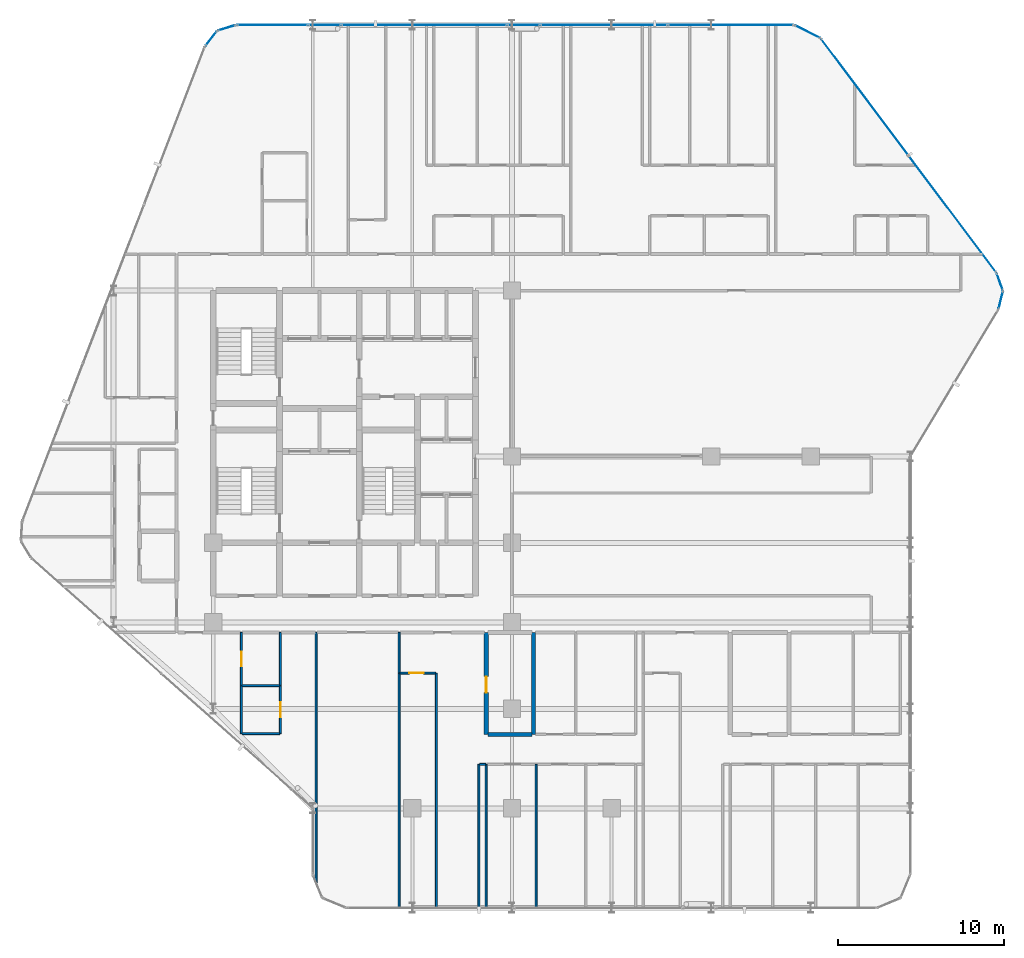
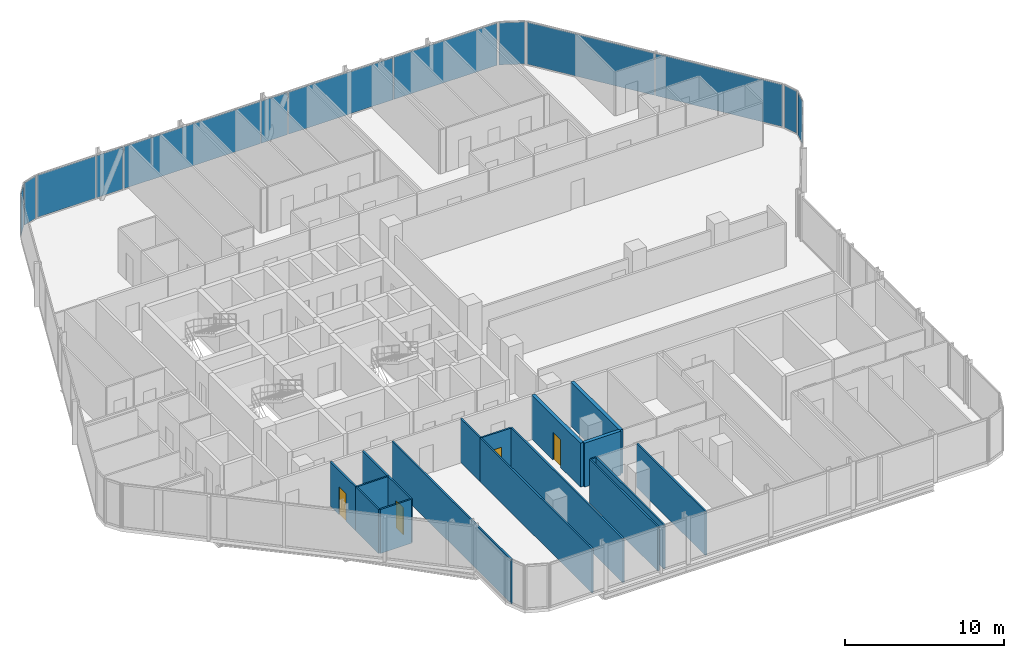
# One storey, part 23 of 30: 18 walls, 13 plates, 4 doors, 4 openings, 11 elements without a shape of their own.
"""IFC4 building model written with IfcOpenShell, lengths in metres."""

from ifc_helpers import new_model, si_unit, direction, frame, frame_2d, origin, origin_2d, place, context, subcontext, project, spatial, rectangle, extrude, material, layer, layer_set, type_object, element, fill, aggregate, save


model = new_model("IFC4")

# Units and contexts
model_context = context("Model", 3, precision=1e-05, world=origin(), true_north=direction((0.0, 1.0)))
body_context = subcontext(model_context, "Body", "Model", "MODEL_VIEW")
ifc_project = project(units=[si_unit("LENGTHUNIT", "METRE"), si_unit("AREAUNIT", "SQUARE_METRE"), si_unit("VOLUMEUNIT", "CUBIC_METRE"), si_unit("PLANEANGLEUNIT", "RADIAN"), si_unit("MASSUNIT", "GRAM", prefix="KILO")], contexts=[model_context])

# Site, building, storey
site_placement = place(None, origin())
site = spatial("IfcSite", under=ifc_project, at=site_placement, CompositionType="ELEMENT")
building_placement = place(site_placement, origin())
building = spatial("IfcBuilding", under=site, at=building_placement, Name="Keshet Zoharim Tower", CompositionType="ELEMENT")
storey_placement = place(building_placement, frame((0.0, 0.0, 109.39990234375)))
storey = spatial("IfcBuildingStorey", under=building, at=storey_placement, Name="L26", CompositionType="ELEMENT", Elevation=109.39990234375)

# Curtain wall, plate
ifc_material_1 = material(Name="Aluminium 6063-T6", Category="aluminium")
ifc_layer_1 = layer(ifc_material_1, 0.159912109375)
ifc_layer_set_1 = layer_set([ifc_layer_1], Name="Aluminium 6063-T6")
curtain_wall_type = type_object("IfcCurtainWallType", Name="CW-SYS-03", PredefinedType="NOTDEFINED", material=ifc_layer_set_1)
curtain_wall_1_placement = place(storey_placement, origin())
curtain_wall_1 = element("IfcCurtainWall", 1, at=curtain_wall_1_placement, inside=storey, type_object=curtain_wall_type, Name="L26 Unitised Curtain Wall 11", PredefinedType="NOTDEFINED")
ifc_material_2 = material(Name="Insulated Low-E Clear Glass", Category="glass")
ifc_layer_2 = layer(ifc_material_2, 0.035888671875)
ifc_layer_set_2 = layer_set([ifc_layer_2], Name="Insulated Low-E Clear Glass")
plate_type_1 = type_object("IfcPlateType", Name="CWP-01", PredefinedType="CURTAIN_PANEL", material=ifc_layer_set_2)
plate_1_placement = place(storey_placement, frame((14.8740234375, 53.08349609375, 0.070068359375), z_axis=(0.0, 0.0, 1.0), x_axis=(0.619124525989, 0.785292825205, 0.0)))
plate_1 = element("IfcPlate", 2, at=plate_1_placement, type_object=plate_type_1, Name="CW-03 panel 1.1", PredefinedType="CURTAIN_PANEL", context=body_context, shape_type="SweptSolid", body=[
    extrude(rectangle(XDim=1.045654296875, YDim=0.035888671875, at=origin_2d()), origin(), (0.0, 0.0, 1.0), 3.2451171875),
])
aggregate(curtain_wall_1, [plate_1])

curtain_wall_2_placement = place(storey_placement, origin())
curtain_wall_2 = element("IfcCurtainWall", 3, at=curtain_wall_2_placement, inside=storey, type_object=curtain_wall_type, Name="L26 Unitised Curtain Wall 12", PredefinedType="NOTDEFINED")
plate_2_placement = place(storey_placement, frame((15.8076171875, 53.724609375, 0.070068359375), z_axis=(0.0, 0.0, 1.0), x_axis=(0.955212151288, 0.295921857984, 0.0)))
plate_2 = element("IfcPlate", 4, at=plate_2_placement, type_object=plate_type_1, Name="CW-03 panel 1.1", PredefinedType="CURTAIN_PANEL", context=body_context, shape_type="SweptSolid", body=[
    extrude(rectangle(XDim=1.046142578125, YDim=0.035888671875, at=origin_2d()), origin(), (0.0, 0.0, 1.0), 3.2451171875),
])
aggregate(curtain_wall_2, [plate_2])

curtain_wall_3_placement = place(storey_placement, origin())
curtain_wall_3 = element("IfcCurtainWall", 5, at=curtain_wall_3_placement, inside=storey, type_object=curtain_wall_type, Name="L26 Unitised Curtain Wall 13", PredefinedType="NOTDEFINED")
ifc_layer_3 = layer(ifc_material_2, 0.031982421875)
ifc_layer_set_3 = layer_set([ifc_layer_3], Name="Insulated Low-E Clear Glass")
plate_type_2 = type_object("IfcPlateType", Name="CWP-02", PredefinedType="CURTAIN_PANEL", material=ifc_layer_set_3)
plate_3_placement = place(storey_placement, frame((18.56298828125, 53.89990234375, 0.070068359375), z_axis=(0.0, 0.0, 1.0), x_axis=(1.0, 0.0, 0.0)))
plate_3 = element("IfcPlate", 6, at=plate_3_placement, type_object=plate_type_2, Name="CW-03 panel 1.1", PredefinedType="CURTAIN_PANEL", context=body_context, shape_type="SweptSolid", body=[
    extrude(rectangle(XDim=4.23779296875, YDim=0.031982421875, at=origin_2d()), origin(), (0.0, 0.0, 1.0), 3.2451171875),
])
aggregate(curtain_wall_3, [plate_3])

curtain_wall_4_placement = place(storey_placement, origin())
curtain_wall_4 = element("IfcCurtainWall", 7, at=curtain_wall_4_placement, inside=storey, type_object=curtain_wall_type, Name="L26 Unitised Curtain Wall 13 Part 3", PredefinedType="NOTDEFINED")
plate_4_placement = place(storey_placement, frame((27.715087890625, 53.89990234375, 0.070068359375), z_axis=(0.0, 0.0, 1.0), x_axis=(1.0, 0.0, 0.0)))
plate_4 = element("IfcPlate", 8, at=plate_4_placement, type_object=plate_type_2, Name="CW-03 panel 1.1", PredefinedType="CURTAIN_PANEL", context=body_context, shape_type="SweptSolid", body=[
    extrude(rectangle(XDim=9.933837890625, YDim=0.031982421875, at=origin_2d()), origin(), (0.0, 0.0, 1.0), 3.2451171875),
])
aggregate(curtain_wall_4, [plate_4])

# Curtain wall, plates
curtain_wall_5_placement = place(storey_placement, origin())
curtain_wall_5 = element("IfcCurtainWall", 9, at=curtain_wall_5_placement, inside=storey, type_object=curtain_wall_type, Name="L26 Unitised Curtain Wall 13 Part 5", PredefinedType="NOTDEFINED")
plate_5_placement = place(storey_placement, frame((38.54345703125, 53.89990234375, 0.070068359375), z_axis=(0.0, 0.0, 1.0), x_axis=(1.0, 0.0, 0.0)))
plate_5 = element("IfcPlate", 10, at=plate_5_placement, type_object=plate_type_2, Name="CW-03 panel 1.1", PredefinedType="CURTAIN_PANEL", context=body_context, shape_type="SweptSolid", body=[
    extrude(rectangle(XDim=7.591064453125, YDim=0.031982421875, at=origin_2d()), origin(), (0.0, 0.0, 1.0), 3.2451171875),
])
plate_6_placement = place(storey_placement, frame((46.16943359375, 53.89990234375, 0.070068359375), z_axis=(0.0, 0.0, 1.0), x_axis=(1.0, 0.0, 0.0)))
plate_6 = element("IfcPlate", 11, at=plate_6_placement, type_object=plate_type_2, Name="CW-03 panel 2.1", PredefinedType="CURTAIN_PANEL", context=body_context, shape_type="SweptSolid", body=[
    extrude(rectangle(XDim=7.52099609375, YDim=0.031982421875, at=origin_2d()), origin(), (0.0, 0.0, 1.0), 3.2451171875),
])
aggregate(curtain_wall_5, [plate_5, plate_6])

# Curtain wall, plate
curtain_wall_6_placement = place(storey_placement, origin())
curtain_wall_6 = element("IfcCurtainWall", 12, at=curtain_wall_6_placement, inside=storey, type_object=curtain_wall_type, Name="L26 Unitised Curtain Wall 14", PredefinedType="NOTDEFINED")
plate_7_placement = place(storey_placement, frame((50.800048828125, 53.5, 0.070068359375), z_axis=(0.0, 0.0, 1.0), x_axis=(0.894427191001, -0.447213595499, 0.0)))
plate_7 = element("IfcPlate", 13, at=plate_7_placement, type_object=plate_type_2, Name="CW-03 panel 1.1", PredefinedType="CURTAIN_PANEL", context=body_context, shape_type="SweptSolid", body=[
    extrude(rectangle(XDim=1.64892578125, YDim=0.031982421875, at=origin_2d()), origin(), (0.0, 0.0, 1.0), 3.2451171875),
])
aggregate(curtain_wall_6, [plate_7])

# Curtain wall, plates
curtain_wall_7_placement = place(storey_placement, origin())
curtain_wall_7 = element("IfcCurtainWall", 14, at=curtain_wall_7_placement, inside=storey, type_object=curtain_wall_type, Name="L26 Unitised Curtain Wall 15", PredefinedType="NOTDEFINED")
plate_8_placement = place(storey_placement, frame((54.2587890625, 49.554931640625, 0.070068359375), z_axis=(0.0, 0.0, 1.0), x_axis=(0.600000000002, -0.799999999998, 0.0)))
plate_8 = element("IfcPlate", 15, at=plate_8_placement, type_object=plate_type_2, Name="CW-03 panel 1.1", PredefinedType="CURTAIN_PANEL", context=body_context, shape_type="SweptSolid", body=[
    extrude(rectangle(XDim=8.722412109375, YDim=0.031982421875, at=origin_2d()), origin(), (0.0, 0.0, 1.0), 3.2451171875),
])
plate_9_placement = place(storey_placement, frame((59.5341796875, 42.52099609375, 0.070068359375), z_axis=(0.0, 0.0, 1.0), x_axis=(0.600000000002, -0.799999999998, 0.0)))
plate_9 = element("IfcPlate", 16, at=plate_9_placement, type_object=plate_type_2, Name="CW-03 panel 2.1", PredefinedType="CURTAIN_PANEL", context=body_context, shape_type="SweptSolid", body=[
    extrude(rectangle(XDim=8.722412109375, YDim=0.031982421875, at=origin_2d()), origin(), (0.0, 0.0, 1.0), 3.2451171875),
])
aggregate(curtain_wall_7, [plate_8, plate_9])

# Curtain wall, plate
curtain_wall_8_placement = place(storey_placement, origin())
curtain_wall_8 = element("IfcCurtainWall", 17, at=curtain_wall_8_placement, inside=storey, type_object=curtain_wall_type, Name="L26 Unitised Curtain Wall 16", PredefinedType="NOTDEFINED")
plate_10_placement = place(storey_placement, frame((62.3916015625, 38.427490234375, 0.070068359375), z_axis=(0.0, 0.0, 1.0), x_axis=(0.340297354046, -0.940317877544, 0.0)))
plate_10 = element("IfcPlate", 18, at=plate_10_placement, type_object=plate_type_2, Name="CW-03 panel 1.1", PredefinedType="CURTAIN_PANEL", context=body_context, shape_type="SweptSolid", body=[
    extrude(rectangle(XDim=1.026611328125, YDim=0.031982421875, at=origin_2d()), origin(), (0.0, 0.0, 1.0), 3.2451171875),
])
aggregate(curtain_wall_8, [plate_10])

curtain_wall_9_placement = place(storey_placement, origin())
curtain_wall_9 = element("IfcCurtainWall", 19, at=curtain_wall_9_placement, inside=storey, type_object=curtain_wall_type, Name="L26 Unitised Curtain Wall 17", PredefinedType="NOTDEFINED")
plate_11_placement = place(storey_placement, frame((62.448974609375, 37.31298828125, 0.070068359375), z_axis=(0.0, 0.0, 1.0), x_axis=(-0.241728770141, -0.970343857447, 0.0)))
plate_11 = element("IfcPlate", 20, at=plate_11_placement, type_object=plate_type_2, Name="CW-03 panel 1.1", PredefinedType="CURTAIN_PANEL", context=body_context, shape_type="SweptSolid", body=[
    extrude(rectangle(XDim=1.026611328125, YDim=0.031982421875, at=origin_2d()), origin(), (0.0, 0.0, 1.0), 3.2451171875),
])
aggregate(curtain_wall_9, [plate_11])

curtain_wall_10_placement = place(storey_placement, origin())
curtain_wall_10 = element("IfcCurtainWall", 21, at=curtain_wall_10_placement, inside=storey, type_object=curtain_wall_type, Name="L26 Unitised Curtain Wall 13 Part 2", PredefinedType="NOTDEFINED")
ifc_material_3 = material(Name="Insulated Aluminium Spandrel Panel", Category="aluminium")
ifc_layer_4 = layer(ifc_material_3, 0.031982421875)
ifc_layer_set_4 = layer_set([ifc_layer_4], Name="Insulated Aluminium Spandrel Panel")
plate_type_3 = type_object("IfcPlateType", Name="CWP-05", PredefinedType="CURTAIN_PANEL", material=ifc_layer_set_4)
plate_12_placement = place(storey_placement, frame((21.715087890625, 53.89990234375, 0.070068359375), z_axis=(0.0, 0.0, 1.0), x_axis=(1.0, 0.0, 0.0)))
plate_12 = element("IfcPlate", 22, at=plate_12_placement, type_object=plate_type_3, Name="CW-03 spandrel panel 1.1", PredefinedType="CURTAIN_PANEL", context=body_context, shape_type="SweptSolid", body=[
    extrude(rectangle(XDim=1.92626953125, YDim=0.031982421875, at=origin_2d()), origin(), (0.0, 0.0, 1.0), 3.2451171875),
])
aggregate(curtain_wall_10, [plate_12])

curtain_wall_11_placement = place(storey_placement, origin())
curtain_wall_11 = element("IfcCurtainWall", 23, at=curtain_wall_11_placement, inside=storey, type_object=curtain_wall_type, Name="L26 Unitised Curtain Wall 13 Part 4", PredefinedType="NOTDEFINED")
plate_13_placement = place(storey_placement, frame((33.715087890625, 53.89990234375, 0.070068359375), z_axis=(0.0, 0.0, 1.0), x_axis=(1.0, 0.0, 0.0)))
plate_13 = element("IfcPlate", 24, at=plate_13_placement, type_object=plate_type_3, Name="CW-03 spandrel panel 1.1", PredefinedType="CURTAIN_PANEL", context=body_context, shape_type="SweptSolid", body=[
    extrude(rectangle(XDim=1.92626953125, YDim=0.031982421875, at=origin_2d()), origin(), (0.0, 0.0, 1.0), 3.2451171875),
])
aggregate(curtain_wall_11, [plate_13])

# Wall, opening, door
ifc_material_4 = material(Name="Concrete C50/60", Category="concrete")
ifc_layer_5 = layer(ifc_material_4, 0.25)
ifc_layer_set_5 = layer_set([ifc_layer_5], Name="Concrete C50/60")
wall_type_1 = type_object("IfcWallType", Name="WL-MAMAD-250", PredefinedType="STANDARD", material=ifc_layer_set_5)
wall_1_placement = place(storey_placement, frame((31.449951171875, 11.14990234375, 0.0), z_axis=(0.0, 0.0, 1.0), x_axis=(0.0, 1.0, 0.0)))
wall_1 = element("IfcWall", 25, at=wall_1_placement, inside=storey, type_object=wall_type_1, Name="L26 Interior Wall 069", PredefinedType="STANDARD", context=body_context, shape_type="SweptSolid", body=[
    extrude(rectangle(XDim=6.150146484375, YDim=0.25, at=frame_2d((3.0751953125, 0.0))), origin(), (0.0, 0.0, 1.0), 3.385009765625),
])
opening_1_placement = place(wall_1_placement, frame((2.529052734375, 0.0, 0.0)))
opening_1 = element("IfcOpeningElement", 26, at=opening_1_placement, cuts=wall_1, Name="Opening D-F695", PredefinedType="OPENING", context=body_context, shape_type="SweptSolid", body=[
    extrude(rectangle(XDim=0.949951171875, YDim=2.14990234375, at=frame_2d((0.47509765625, 1.074951171875))), frame((0.0, 0.135009765625, 0.0), z_axis=(0.0, -1.0, 0.0), x_axis=(1.0, 0.0, 0.0)), (0.0, 0.0, 1.0), 0.27001953125),
])
ifc_material_5 = material(Name="Hardwood Timber", Category="wood")
door_type_1 = type_object("IfcDoorType", Name="DR-FD60-095", OperationType="NOTDEFINED", PredefinedType="DOOR", material=ifc_material_5)
door_1_placement = place(opening_1_placement, origin())
door_1 = element("IfcDoor", 27, at=door_1_placement, inside=storey, type_object=door_type_1, Name="Apartment 2602 Study and Shelter Room Door", OperationType="SINGLE_SWING_LEFT", OverallHeight=2.14990234375, OverallWidth=0.949951171875, PredefinedType="DOOR", context=body_context, shape_type="SweptSolid", body=[
    extrude(rectangle(XDim=0.949951171875, YDim=2.14990234375, at=frame_2d((0.47509765625, 1.074951171875))), frame((0.0, 0.02490234375, 0.0), z_axis=(0.0, -1.0, 0.0), x_axis=(1.0, 0.0, 0.0)), (0.0, 0.0, 1.0), 0.050048828125),
])
fill(opening_1, door_1)

# Walls
wall_2_placement = place(storey_placement, frame((34.300048828125, 11.14990234375, 0.0), z_axis=(0.0, 0.0, 1.0), x_axis=(0.0, 1.0, 0.0)))
element("IfcWall", 28, at=wall_2_placement, inside=storey, type_object=wall_type_1, Name="L26 Interior Wall 074", PredefinedType="STANDARD", context=body_context, shape_type="SweptSolid", body=[
    extrude(rectangle(XDim=6.150146484375, YDim=0.25, at=frame_2d((3.0751953125, 0.0))), origin(), (0.0, 0.0, 1.0), 3.385009765625),
])
wall_3_placement = place(storey_placement, frame((31.56005859375, 11.14990234375, 0.0), z_axis=(0.0, 0.0, 1.0), x_axis=(1.0, 0.0, 0.0)))
element("IfcWall", 29, at=wall_3_placement, inside=storey, type_object=wall_type_1, Name="L26 Interior Wall 117", PredefinedType="STANDARD", context=body_context, shape_type="SweptSolid", body=[
    extrude(rectangle(XDim=2.64501953125, YDim=0.25, at=frame_2d((1.322509765625, 0.0))), origin(), (0.0, 0.0, 1.0), 3.385009765625),
])

# Wall, opening, door
ifc_material_6 = material(Name="Gypsum Plasterboard", Category="gypsum")
ifc_layer_6 = layer(ifc_material_6, 0.1201171875)
ifc_layer_set_6 = layer_set([ifc_layer_6], Name="Gypsum Plasterboard")
wall_type_2 = type_object("IfcWallType", Name="WL-PART-120", PredefinedType="PARTITIONING", material=ifc_layer_set_6)
wall_4_placement = place(storey_placement, frame((16.699951171875, 14.10009765625, 0.0), z_axis=(0.0, 0.0, 1.0), x_axis=(0.0, 1.0, 0.0)))
wall_4 = element("IfcWall", 30, at=wall_4_placement, inside=storey, type_object=wall_type_2, Name="L26 Interior Wall 018", PredefinedType="PARTITIONING", context=body_context, shape_type="SweptSolid", body=[
    extrude(rectangle(XDim=3.199951171875, YDim=0.1201171875, at=frame_2d((1.60009765625, 0.0))), origin(), (0.0, 0.0, 1.0), 3.385009765625),
])
opening_2_placement = place(wall_4_placement, frame((1.14990234375, 0.0, 0.0)))
opening_2 = element("IfcOpeningElement", 31, at=opening_2_placement, cuts=wall_4, Name="Opening D-IN90", PredefinedType="OPENING", context=body_context, shape_type="SweptSolid", body=[
    extrude(rectangle(XDim=0.89990234375, YDim=2.14990234375, at=frame_2d((0.449951171875, 1.074951171875))), frame((0.0, 0.070068359375, 0.0), z_axis=(0.0, -1.0, 0.0), x_axis=(1.0, 0.0, 0.0)), (0.0, 0.0, 1.0), 0.14013671875),
])
door_type_2 = type_object("IfcDoorType", Name="DR-INT-090", OperationType="NOTDEFINED", PredefinedType="DOOR", material=ifc_material_5)
door_2_placement = place(opening_2_placement, origin())
door_2 = element("IfcDoor", 32, at=door_2_placement, inside=storey, type_object=door_type_2, Name="Apartment 2601 Kitchenette Door", OperationType="SINGLE_SWING_LEFT", OverallHeight=2.14990234375, OverallWidth=0.89990234375, PredefinedType="DOOR", context=body_context, shape_type="SweptSolid", body=[
    extrude(rectangle(XDim=0.89990234375, YDim=2.14990234375, at=frame_2d((0.449951171875, 1.074951171875))), frame((0.0, 0.02490234375, 0.0), z_axis=(0.0, -1.0, 0.0), x_axis=(1.0, 0.0, 0.0)), (0.0, 0.0, 1.0), 0.050048828125),
])
fill(opening_2, door_2)

# Walls
wall_5_placement = place(storey_placement, frame((19.050048828125, 14.10009765625, 0.0), z_axis=(0.0, 0.0, 1.0), x_axis=(0.0, 1.0, 0.0)))
element("IfcWall", 33, at=wall_5_placement, inside=storey, type_object=wall_type_2, Name="L26 Interior Wall 027", PredefinedType="PARTITIONING", context=body_context, shape_type="SweptSolid", body=[
    extrude(rectangle(XDim=3.199951171875, YDim=0.1201171875, at=frame_2d((1.60009765625, 0.0))), origin(), (0.0, 0.0, 1.0), 3.385009765625),
])
wall_6_placement = place(storey_placement, frame((21.199951171875, 2.22705078125, 0.0), z_axis=(0.0, 0.0, 1.0), x_axis=(0.0, 1.0, 0.0)))
element("IfcWall", 34, at=wall_6_placement, inside=storey, type_object=wall_type_2, Name="L26 Interior Wall 030", PredefinedType="PARTITIONING", context=body_context, shape_type="SweptSolid", body=[
    extrude(rectangle(XDim=15.072998046875, YDim=0.1201171875, at=frame_2d((7.53662109375, 0.0))), origin(), (0.0, 0.0, 1.0), 3.385009765625),
])
wall_7_placement = place(storey_placement, frame((26.199951171875, 0.7099609375, 0.0), z_axis=(0.0, 0.0, 1.0), x_axis=(0.0, 1.0, 0.0)))
element("IfcWall", 35, at=wall_7_placement, inside=storey, type_object=wall_type_2, Name="L26 Interior Wall 044", PredefinedType="PARTITIONING", context=body_context, shape_type="SweptSolid", body=[
    extrude(rectangle(XDim=14.14013671875, YDim=0.1201171875, at=frame_2d((7.070068359375, 0.0))), origin(), (0.0, 0.0, 1.0), 3.385009765625),
])
wall_8_placement = place(storey_placement, frame((26.199951171875, 14.85009765625, 0.0), z_axis=(0.0, 0.0, 1.0), x_axis=(0.0, 1.0, 0.0)))
element("IfcWall", 36, at=wall_8_placement, inside=storey, type_object=wall_type_2, Name="L26 Interior Wall 045", PredefinedType="PARTITIONING", context=body_context, shape_type="SweptSolid", body=[
    extrude(rectangle(XDim=2.449951171875, YDim=0.1201171875, at=frame_2d((1.22509765625, 0.0))), origin(), (0.0, 0.0, 1.0), 3.385009765625),
])
wall_9_placement = place(storey_placement, frame((28.449951171875, 0.7099609375, 0.0), z_axis=(0.0, 0.0, 1.0), x_axis=(0.0, 1.0, 0.0)))
element("IfcWall", 37, at=wall_9_placement, inside=storey, type_object=wall_type_2, Name="L26 Interior Wall 055", PredefinedType="PARTITIONING", context=body_context, shape_type="SweptSolid", body=[
    extrude(rectangle(XDim=14.14013671875, YDim=0.1201171875, at=frame_2d((7.070068359375, 0.0))), origin(), (0.0, 0.0, 1.0), 3.385009765625),
])
for number, where, z_axis, x_axis, name in (
    (38, (31.0, 0.7099609375, 0.0), (0.0, 0.0, 1.0), (0.0, 1.0, 0.0), "L26 Interior Wall 067"),
    (39, (31.449951171875, 0.7099609375, 0.0), (0.0, 0.0, 1.0), (0.0, 1.0, 0.0), "L26 Interior Wall 068"),
    (40, (34.449951171875, 0.7099609375, 0.0), (0.0, 0.0, 1.0), (0.0, 1.0, 0.0), "L26 Interior Wall 075"),
):
    element("IfcWall", number, at=place(storey_placement, frame(where, z_axis=z_axis, x_axis=x_axis)), inside=storey, type_object=wall_type_2, Name=name, PredefinedType="PARTITIONING", context=body_context, shape_type="SweptSolid", body=[
        extrude(rectangle(XDim=8.64013671875, YDim=0.1201171875, at=frame_2d((4.320068359375, 0.0))), origin(), (0.0, 0.0, 1.0), 3.385009765625),
    ])
wall_10_placement = place(storey_placement, frame((31.044921875, 9.35009765625, 0.0), z_axis=(0.0, 0.0, 1.0), x_axis=(1.0, 0.0, 0.0)))
element("IfcWall", 41, at=wall_10_placement, inside=storey, type_object=wall_type_2, Name="L26 Interior Wall 112", PredefinedType="PARTITIONING", context=body_context, shape_type="SweptSolid", body=[
    extrude(rectangle(XDim=0.360107421875, YDim=0.1201171875, at=frame_2d((0.18017578125, 0.0))), origin(), (0.0, 0.0, 1.0), 3.385009765625),
])

# Wall, opening, door
wall_11_placement = place(storey_placement, frame((26.2451171875, 14.85009765625, 0.0), z_axis=(0.0, 0.0, 1.0), x_axis=(1.0, 0.0, 0.0)))
wall_11 = element("IfcWall", 42, at=wall_11_placement, inside=storey, type_object=wall_type_2, Name="L26 Interior Wall 125", PredefinedType="PARTITIONING", context=body_context, shape_type="SweptSolid", body=[
    extrude(rectangle(XDim=2.159912109375, YDim=0.1201171875, at=frame_2d((1.080078125, 0.0))), origin(), (0.0, 0.0, 1.0), 3.385009765625),
])
opening_3_placement = place(wall_11_placement, frame((0.552978515625, 0.0, 0.0)))
opening_3 = element("IfcOpeningElement", 43, at=opening_3_placement, cuts=wall_11, Name="Opening D-IN90", PredefinedType="OPENING", context=body_context, shape_type="SweptSolid", body=[
    extrude(rectangle(XDim=0.89990234375, YDim=2.14990234375, at=frame_2d((0.449951171875, 1.074951171875))), frame((0.0, 0.070068359375, 0.0), z_axis=(0.0, -1.0, 0.0), x_axis=(1.0, 0.0, 0.0)), (0.0, 0.0, 1.0), 0.14013671875),
])
door_3_placement = place(opening_3_placement, origin())
door_3 = element("IfcDoor", 44, at=door_3_placement, inside=storey, type_object=door_type_2, Name="Apartment 2602 Formal Dining Room Door", OperationType="SINGLE_SWING_RIGHT", OverallHeight=2.14990234375, OverallWidth=0.89990234375, PredefinedType="DOOR", context=body_context, shape_type="SweptSolid", body=[
    extrude(rectangle(XDim=0.89990234375, YDim=2.14990234375, at=frame_2d((0.449951171875, 1.074951171875))), frame((0.0, 0.02490234375, 0.0), z_axis=(0.0, -1.0, 0.0), x_axis=(1.0, 0.0, 0.0)), (0.0, 0.0, 1.0), 0.050048828125),
])
fill(opening_3, door_3)

# Wall
ifc_layer_7 = layer(ifc_material_6, 0.1201171875)
ifc_layer_set_7 = layer_set([ifc_layer_7], Name="Gypsum Plasterboard")
wall_type_3 = type_object("IfcWallType", Name="WL-WET-120", PredefinedType="PARTITIONING", material=ifc_layer_set_7)
wall_12_placement = place(storey_placement, frame((16.699951171875, 11.199951171875, 0.0), z_axis=(0.0, 0.0, 1.0), x_axis=(0.0, 1.0, 0.0)))
element("IfcWall", 45, at=wall_12_placement, inside=storey, type_object=wall_type_3, Name="L26 Interior Wall 017", PredefinedType="PARTITIONING", context=body_context, shape_type="SweptSolid", body=[
    extrude(rectangle(XDim=2.900146484375, YDim=0.1201171875, at=frame_2d((1.4501953125, 0.0))), origin(), (0.0, 0.0, 1.0), 3.385009765625),
])

# Wall, opening, door
wall_13_placement = place(storey_placement, frame((19.050048828125, 11.199951171875, 0.0), z_axis=(0.0, 0.0, 1.0), x_axis=(0.0, 1.0, 0.0)))
wall_13 = element("IfcWall", 46, at=wall_13_placement, inside=storey, type_object=wall_type_3, Name="L26 Interior Wall 026", PredefinedType="PARTITIONING", context=body_context, shape_type="SweptSolid", body=[
    extrude(rectangle(XDim=2.900146484375, YDim=0.1201171875, at=frame_2d((1.4501953125, 0.0))), origin(), (0.0, 0.0, 1.0), 3.385009765625),
])
opening_4_placement = place(wall_13_placement, frame((1.0, 0.0, 0.0)))
opening_4 = element("IfcOpeningElement", 47, at=opening_4_placement, cuts=wall_13, Name="Opening D-WT90", PredefinedType="OPENING", context=body_context, shape_type="SweptSolid", body=[
    extrude(rectangle(XDim=0.89990234375, YDim=2.10009765625, at=frame_2d((0.449951171875, 1.050048828125))), frame((0.0, 0.070068359375, 0.0), z_axis=(0.0, -1.0, 0.0), x_axis=(1.0, 0.0, 0.0)), (0.0, 0.0, 1.0), 0.14013671875),
])
door_type_3 = type_object("IfcDoorType", Name="DR-WET-090", OperationType="NOTDEFINED", PredefinedType="DOOR", material=ifc_material_5)
door_4_placement = place(opening_4_placement, origin())
door_4 = element("IfcDoor", 48, at=door_4_placement, inside=storey, type_object=door_type_3, Name="Apartment 2601 Bathroom Door", OperationType="SINGLE_SWING_LEFT", OverallHeight=2.10009765625, OverallWidth=0.89990234375, PredefinedType="DOOR", context=body_context, shape_type="SweptSolid", body=[
    extrude(rectangle(XDim=0.89990234375, YDim=2.10009765625, at=frame_2d((0.449951171875, 1.050048828125))), frame((0.0, 0.02490234375, 0.0), z_axis=(0.0, -1.0, 0.0), x_axis=(1.0, 0.0, 0.0)), (0.0, 0.0, 1.0), 0.050048828125),
])
fill(opening_4, door_4)

# Walls
for number, where, z_axis, x_axis, name in (
    (49, (16.7451171875, 11.199951171875, 0.0), (0.0, 0.0, 1.0), (1.0, 0.0, 0.0), "L26 Interior Wall 123"),
    (50, (16.7451171875, 14.10009765625, 0.0), (0.0, 0.0, 1.0), (1.0, 0.0, 0.0), "L26 Interior Wall 124"),
):
    element("IfcWall", number, at=place(storey_placement, frame(where, z_axis=z_axis, x_axis=x_axis)), inside=storey, type_object=wall_type_3, Name=name, PredefinedType="PARTITIONING", context=body_context, shape_type="SweptSolid", body=[
        extrude(rectangle(XDim=2.259765625, YDim=0.1201171875, at=frame_2d((1.1298828125, 0.0))), origin(), (0.0, 0.0, 1.0), 3.385009765625),
    ])

save(model, "model.ifc")
